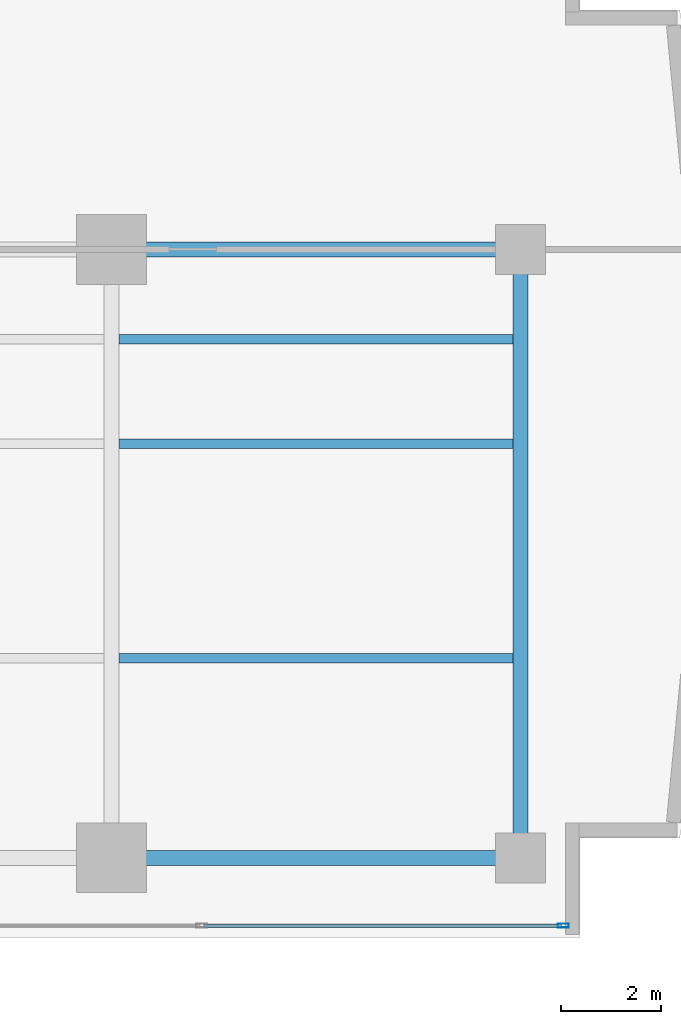
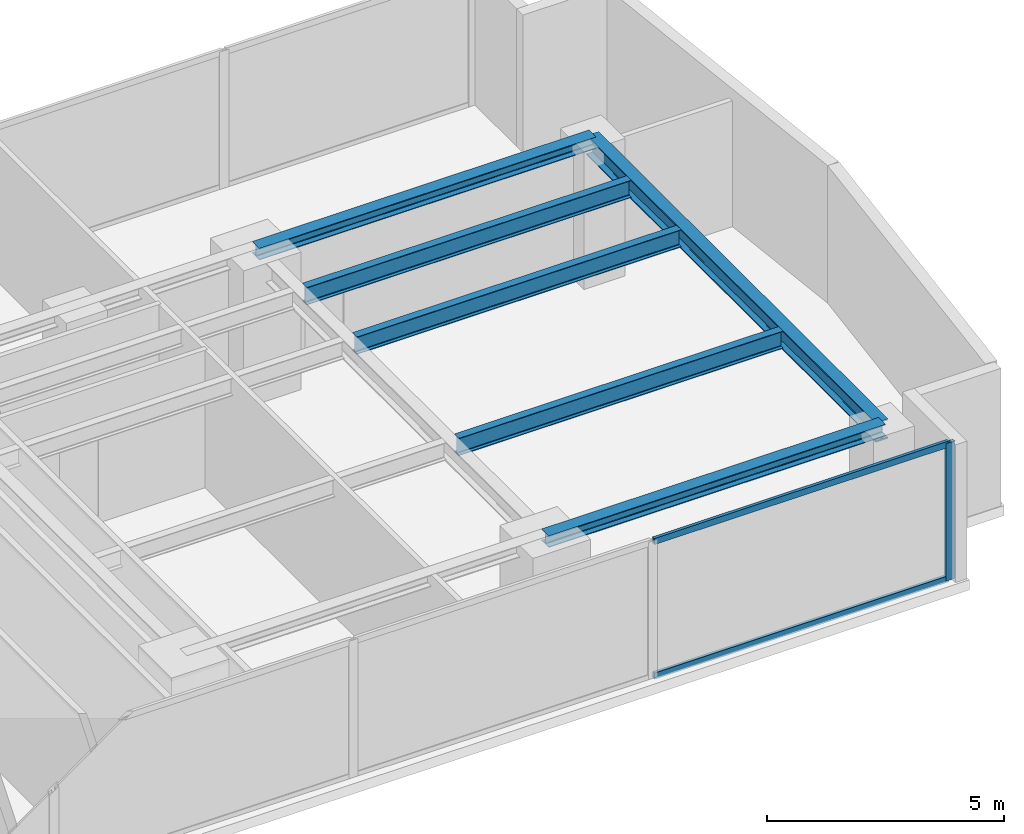
# One storey, part 12 of 24: 6 beams, 3 members, 1 element without a shape of its own.
"""IFC4 building model written with IfcOpenShell, lengths in metres."""

from ifc_helpers import new_model, si_unit, direction, frame, origin, origin_with_axes, origin_2d, place, context, subcontext, project, spatial, hollow_rectangle, i_section, extrude, source, transform, mapped, material, layer, layer_set, material_profile, profile_set, type_object, element, aggregate, save


model = new_model("IFC4")

# Units and contexts
model_context = context("Model", 3, precision=1e-05, world=origin(), true_north=direction((0.0, 1.0)))
body_context = subcontext(model_context, "Body", "Model", "MODEL_VIEW")
ifc_project = project(units=[si_unit("LENGTHUNIT", "METRE"), si_unit("AREAUNIT", "SQUARE_METRE"), si_unit("VOLUMEUNIT", "CUBIC_METRE"), si_unit("PLANEANGLEUNIT", "RADIAN"), si_unit("MASSUNIT", "GRAM", prefix="KILO")], contexts=[model_context])

# Site, building, storey
site_placement = place(None, origin())
site = spatial("IfcSite", under=ifc_project, at=site_placement, CompositionType="ELEMENT")
building_placement = place(site_placement, origin())
building = spatial("IfcBuilding", under=site, at=building_placement, Name="Kolvaren Waterfront Exchange", CompositionType="ELEMENT")
storey_placement = place(building_placement, frame((0.0, 0.0, 91.699951171875)))
storey = spatial("IfcBuildingStorey", under=building, at=storey_placement, Name="L23", CompositionType="ELEMENT", Elevation=91.699951171875)

# Beams
ifc_material_1 = material(Name="Steel S355", Category="steel")
ifc_material_profile_1 = material_profile(ifc_material_1, i_section(OverallWidth=0.300048828125, OverallDepth=0.300048828125, WebThickness=0.010986328125, FlangeThickness=0.01904296875, FilletRadius=0.027099609375, at=origin_2d()), Name="HEB300")
ifc_profile_set_1 = profile_set([ifc_material_profile_1], Name="Steel S355")
beam_type_1 = type_object("IfcBeamType", Name="STR-BM-HEB300", PredefinedType="SPANDREL", material=ifc_profile_set_1)
for number, where, z_axis, x_axis, name in (
    (1, (45.60009765625, 5.199951171875, 3.39013671875), (1.0, 0.0, 0.0), (0.0, 1.0, 0.0), "L23 east-arm spandrel S4"),
    (2, (45.60009765625, 17.39990234375, 3.39013671875), (1.0, 0.0, 0.0), (0.0, 1.0, 0.0), "L23 east-arm spandrel N4"),
):
    element("IfcBeam", number, at=place(storey_placement, frame(where, z_axis=z_axis, x_axis=x_axis)), inside=storey, type_object=beam_type_1, Name=name, PredefinedType="SPANDREL", context=body_context, shape_type="SweptSolid", body=[
        extrude(i_section(OverallWidth=0.300048828125, OverallDepth=0.300048828125, WebThickness=0.010986328125, FlangeThickness=0.01904296875, FilletRadius=0.027099609375, at=origin_2d()), origin(), (0.0, 0.0, 1.0), 8.199951171875),
    ])
ifc_material_profile_2 = material_profile(ifc_material_1, i_section(OverallWidth=0.300048828125, OverallDepth=0.5, WebThickness=0.014404296875, FlangeThickness=0.028076171875, FilletRadius=0.027099609375, at=origin_2d()), Name="HEB500")
ifc_profile_set_2 = profile_set([ifc_material_profile_2], Name="Steel S355")
beam_type_2 = type_object("IfcBeamType", Name="STR-BM-HEB500", PredefinedType="BEAM", material=ifc_profile_set_2)
beam_placement = place(storey_placement, frame((53.800048828125, 5.199951171875, 3.2900390625), z_axis=(0.0, 1.0, 0.0), x_axis=(-1.0, 0.0, 0.0)))
element("IfcBeam", 3, at=beam_placement, inside=storey, type_object=beam_type_2, Name="L23 east-arm transverse girder X53", PredefinedType="BEAM", context=body_context, shape_type="SweptSolid", body=[
    extrude(i_section(OverallWidth=0.300048828125, OverallDepth=0.5, WebThickness=0.014404296875, FlangeThickness=0.028076171875, FilletRadius=0.027099609375, at=origin_2d()), origin(), (0.0, 0.0, 1.0), 12.199951171875),
])
ifc_material_profile_3 = material_profile(ifc_material_1, i_section(OverallWidth=0.18994140625, OverallDepth=0.449951171875, WebThickness=0.009521484375, FlangeThickness=0.0146484375, FilletRadius=0.02099609375, at=origin_2d()), Name="IPE450")
ifc_profile_set_3 = profile_set([ifc_material_profile_3], Name="Steel S355")
beam_type_3 = type_object("IfcBeamType", Name="STR-BM-IPE450", PredefinedType="JOIST", material=ifc_profile_set_3)
for number, where, z_axis, x_axis, name in (
    (4, (45.751953125, 13.5, 3.31494140625), (1.0, 0.0, 0.0), (0.0, 1.0, 0.0), "L23 east-arm composite joist 4A"),
    (5, (45.751953125, 15.60009765625, 3.31494140625), (1.0, 0.0, 0.0), (0.0, 1.0, 0.0), "L23 east-arm composite joist 4C"),
    (6, (45.751953125, 9.199951171875, 3.31494140625), (1.0, 0.0, 0.0), (0.0, 1.0, 0.0), "L23 east-arm composite joist 4B"),
):
    element("IfcBeam", number, at=place(storey_placement, frame(where, z_axis=z_axis, x_axis=x_axis)), inside=storey, type_object=beam_type_3, Name=name, PredefinedType="JOIST", context=body_context, shape_type="SweptSolid", body=[
        extrude(i_section(OverallWidth=0.18994140625, OverallDepth=0.449951171875, WebThickness=0.009521484375, FlangeThickness=0.0146484375, FilletRadius=0.02099609375, at=origin_2d()), origin(), (0.0, 0.0, 1.0), 7.89599609375),
    ])

# Curtain wall, members
ifc_material_2 = material(Name="Anodised bronze aluminium 6063-T6", Category="aluminium")
ifc_layer = layer(ifc_material_2, 0.219970703125, Name="Anodised bronze aluminium 6063-T6")
ifc_layer_set = layer_set([ifc_layer], Name="Anodised bronze aluminium 6063-T6")
curtain_wall_type = type_object("IfcCurtainWallType", Name="ARC-CW-SYS1", PredefinedType="USERDEFINED", material=ifc_layer_set)
curtain_wall_placement = place(storey_placement, origin())
curtain_wall = element("IfcCurtainWall", 7, at=curtain_wall_placement, inside=storey, type_object=curtain_wall_type, Name="L23 stick curtain wall CW1 (CW-L23-S)", ObjectType="STICK CURTAIN WALL", PredefinedType="USERDEFINED")
ifc_material_3 = material(Name="Anodised aluminium 6063-T6", Category="aluminium")
ifc_material_profile_4 = material_profile(ifc_material_3, hollow_rectangle(XDim=0.080078125, YDim=0.219970703125, WallThickness=0.0048828125, at=origin_2d()), Name="ALU-MUL-220x80x5")
ifc_profile_set_4 = profile_set([ifc_material_profile_4], Name="Anodised aluminium 6063-T6")
member_type_1 = type_object("IfcMemberType", Name="ARC-CWM-220", PredefinedType="MULLION", material=ifc_profile_set_4)
shared_shape_1 = source(origin_with_axes(), body_context, "Body", "SweptSolid", [
    extrude(hollow_rectangle(XDim=0.080078125, YDim=0.219970703125, WallThickness=0.0048828125, at=origin_2d()), origin(), (0.0, 0.0, 1.0), 3.5400390625),
])
member_1_placement = place(storey_placement, frame((54.659912109375, 3.840087890625, 0.0), z_axis=(0.0, 0.0, 1.0), x_axis=(0.0, 1.0, 0.0)))
member_1 = element("IfcMember", 8, at=member_1_placement, type_object=member_type_1, Name="CW1 mullion 8", PredefinedType="MULLION", context=body_context, shape_type="MappedRepresentation", body=[
    mapped(shared_shape_1, transform((0.0, 0.0, 0.0), x_axis=(1.0, 0.0, 0.0), y_axis=(0.0, 1.0, 0.0), z_axis=(0.0, 0.0, 1.0), scale=1.0)),
])
ifc_material_profile_5 = material_profile(ifc_material_3, hollow_rectangle(XDim=0.074951171875, YDim=0.159912109375, WallThickness=0.00439453125, at=origin_2d()), Name="ALU-TRN-160x75x4.5")
ifc_profile_set_5 = profile_set([ifc_material_profile_5], Name="Anodised aluminium 6063-T6")
member_type_2 = type_object("IfcMemberType", Name="ARC-CWT-160", PredefinedType="USERDEFINED", material=ifc_profile_set_5)
shared_shape_2 = source(origin_with_axes(), body_context, "Body", "SweptSolid", [
    extrude(hollow_rectangle(XDim=0.074951171875, YDim=0.159912109375, WallThickness=0.00439453125, at=origin_2d()), origin(), (0.0, 0.0, 1.0), 7.165771484375),
])
member_2_placement = place(storey_placement, frame((47.454345703125, 3.840087890625, 0.03759765625), z_axis=(1.0, 0.0, 0.0), x_axis=(0.0, 1.0, 0.0)))
member_2 = element("IfcMember", 9, at=member_2_placement, type_object=member_type_2, Name="CW1 transom 7.1", ObjectType="TRANSOM", PredefinedType="USERDEFINED", context=body_context, shape_type="MappedRepresentation", body=[
    mapped(shared_shape_2, transform((0.0, 0.0, 0.0), x_axis=(1.0, 0.0, 0.0), y_axis=(0.0, 1.0, 0.0), z_axis=(0.0, 0.0, 1.0), scale=1.0)),
])
member_3_placement = place(storey_placement, frame((47.454345703125, 3.840087890625, 3.50244140625), z_axis=(1.0, 0.0, 0.0), x_axis=(0.0, 1.0, 0.0)))
member_3 = element("IfcMember", 10, at=member_3_placement, type_object=member_type_2, Name="CW1 transom 7.2", ObjectType="TRANSOM", PredefinedType="USERDEFINED", context=body_context, shape_type="MappedRepresentation", body=[
    mapped(shared_shape_2, transform((0.0, 0.0, 0.0), x_axis=(1.0, 0.0, 0.0), y_axis=(0.0, 1.0, 0.0), z_axis=(0.0, 0.0, 1.0), scale=1.0)),
])
aggregate(curtain_wall, [member_1, member_2, member_3])

save(model, "model.ifc")
